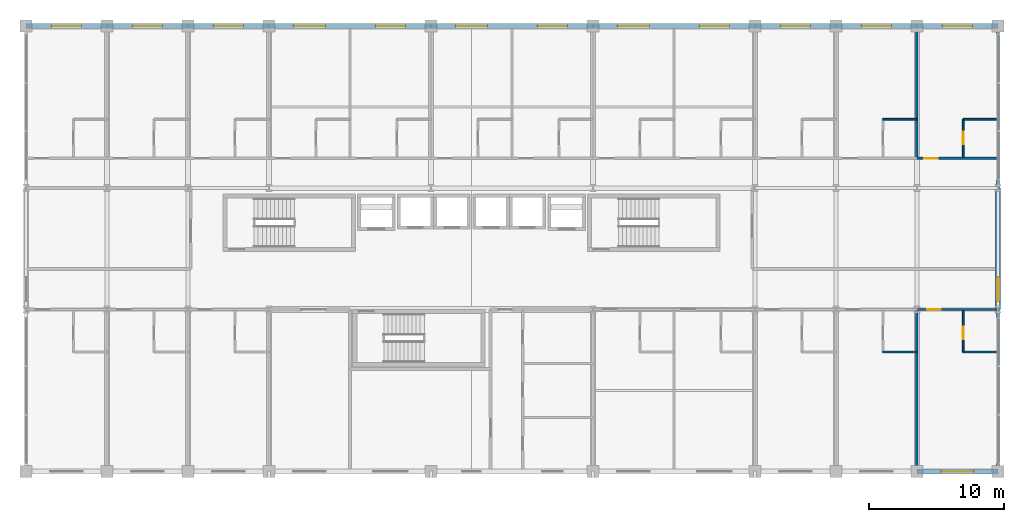
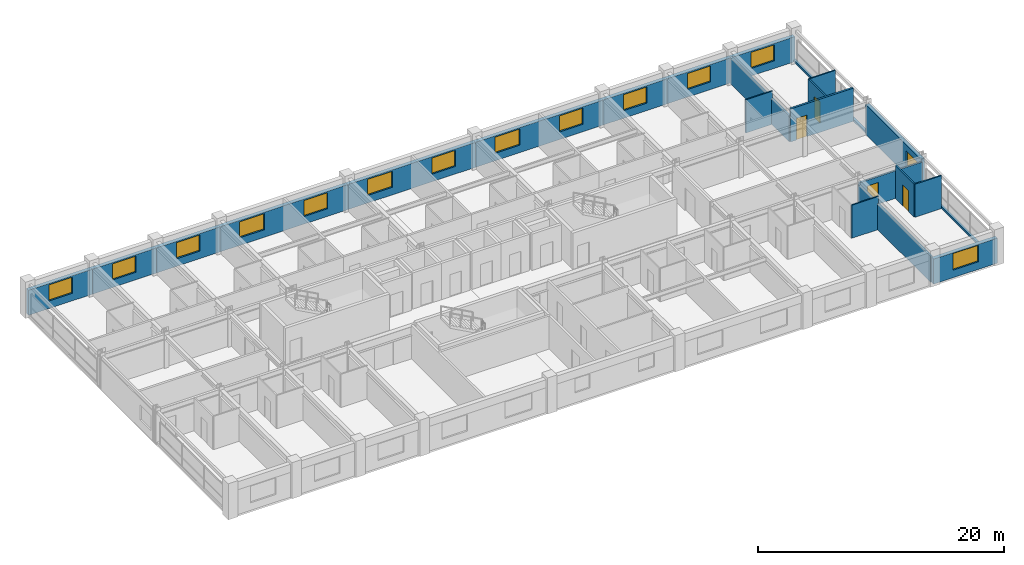
# One storey, part 20 of 22: 23 walls, 14 windows, 4 doors, 18 openings.
"""IFC4 building model written with IfcOpenShell, lengths in metres."""

from ifc_helpers import new_model, si_unit, direction, frame, frame_2d, origin, place, context, subcontext, project, spatial, rectangle, extrude, material, layer, layer_set, type_object, element, fill, save


model = new_model("IFC4")

# Units and contexts
model_context = context("Model", 3, precision=1e-05, world=origin(), true_north=direction((0.0, 1.0)))
body_context = subcontext(model_context, "Body", "Model", "MODEL_VIEW")
ifc_project = project(units=[si_unit("LENGTHUNIT", "METRE"), si_unit("AREAUNIT", "SQUARE_METRE"), si_unit("VOLUMEUNIT", "CUBIC_METRE"), si_unit("PLANEANGLEUNIT", "RADIAN"), si_unit("MASSUNIT", "GRAM", prefix="KILO")], contexts=[model_context])

# Site, building, storey
site_placement = place(None, origin())
site = spatial("IfcSite", under=ifc_project, at=site_placement, CompositionType="ELEMENT")
building_placement = place(site_placement, origin())
building = spatial("IfcBuilding", under=site, at=building_placement, Name="Kaldorvane Square Convention Centre", CompositionType="ELEMENT")
storey_placement = place(building_placement, frame((0.0, 0.0, 31.199996948242188)))
storey = spatial("IfcBuildingStorey", under=building, at=storey_placement, Name="L06", CompositionType="ELEMENT", Elevation=31.199996948242188)

# Wall
ifc_material_1 = material(Name="Fire-Rated Gypsum Board on Acoustic Steel Studs", Category="steel")
ifc_layer_1 = layer(ifc_material_1, 0.125)
ifc_layer_set_1 = layer_set([ifc_layer_1], Name="Fire-Rated Gypsum Board on Acoustic Steel Studs")
wall_type_1 = type_object("IfcWallType", Name="WL-BATH-125", PredefinedType="PARTITIONING", material=ifc_layer_set_1)
wall_1_placement = place(storey_placement, frame((87.47999572753906, 110.10000610351562, 0.0), z_axis=(0.0, 0.0, 1.0), x_axis=(1.0, 0.0, 0.0)))
element("IfcWall", 1, at=wall_1_placement, inside=storey, type_object=wall_type_1, Name="En-Suite 611 North Wall", PredefinedType="PARTITIONING", context=body_context, shape_type="SweptSolid", body=[
    extrude(rectangle(XDim=2.5200042724609375, YDim=0.125, at=frame_2d((1.260009765625, 0.0))), origin(), (0.0, 0.0, 1.0), 3.290008544921875),
])

# Wall, opening, door
wall_2_placement = place(storey_placement, frame((93.43499755859375, 107.28999328613281, 0.0), z_axis=(0.0, 0.0, 1.0), x_axis=(0.0, 1.0, 0.0)))
wall_2 = element("IfcWall", 2, at=wall_2_placement, inside=storey, type_object=wall_type_1, Name="En-Suite 612 West Wall", PredefinedType="PARTITIONING", context=body_context, shape_type="SweptSolid", body=[
    extrude(rectangle(XDim=2.8100128173828125, YDim=0.125, at=frame_2d((1.404998779296875, 0.0))), origin(), (0.0, 0.0, 1.0), 3.290008544921875),
])
opening_1_placement = place(wall_2_placement, frame((0.9499969482421875, 0.0, 0.0)))
opening_1 = element("IfcOpeningElement", 3, at=opening_1_placement, cuts=wall_2, Name="Opening ID-12", PredefinedType="OPENING", context=body_context, shape_type="SweptSolid", body=[
    extrude(rectangle(XDim=0.9199981689453125, YDim=2.100006103515625, at=frame_2d((0.459991455078125, 1.0500030517578125))), frame((0.0, 0.0774993896484375, 0.0), z_axis=(0.0, -1.0, 0.0), x_axis=(1.0, 0.0, 0.0)), (0.0, 0.0, 1.0), 0.154998779296875),
])
ifc_material_2 = material(Name="Architectural Solid-Core White Oak")
door_type_1 = type_object("IfcDoorType", Name="DR-BATH-0920X2100", OperationType="SINGLE_SWING_RIGHT", PredefinedType="DOOR", material=ifc_material_2)
door_1_placement = place(opening_1_placement, origin())
door_1 = element("IfcDoor", 4, at=door_1_placement, inside=storey, type_object=door_type_1, Name="En-Suite Bathroom 612 Door", OperationType="SINGLE_SWING_RIGHT", OverallHeight=2.100006103515625, OverallWidth=0.9199981689453125, PredefinedType="DOOR", context=body_context, shape_type="SweptSolid", body=[
    extrude(rectangle(XDim=0.9199981689453125, YDim=2.100006103515625, at=frame_2d((0.459991455078125, 1.0500030517578125))), frame((0.0, 0.024993896484375, 0.0), z_axis=(0.0, -1.0, 0.0), x_axis=(1.0, 0.0, 0.0)), (0.0, 0.0, 1.0), 0.0500030517578125),
])
fill(opening_1, door_1)

# Walls
wall_3_placement = place(storey_placement, frame((93.43499755859375, 110.10000610351562, 0.0), z_axis=(0.0, 0.0, 1.0), x_axis=(1.0, 0.0, 0.0)))
element("IfcWall", 5, at=wall_3_placement, inside=storey, type_object=wall_type_1, Name="En-Suite 612 North Wall", PredefinedType="PARTITIONING", context=body_context, shape_type="SweptSolid", body=[
    extrude(rectangle(XDim=2.4799957275390625, YDim=0.125, at=frame_2d((1.239990234375, 0.0))), origin(), (0.0, 0.0, 1.0), 3.290008544921875),
])
wall_4_placement = place(storey_placement, frame((87.47999572753906, 92.85000610351562, 0.0), z_axis=(0.0, 0.0, 1.0), x_axis=(1.0, 0.0, 0.0)))
element("IfcWall", 6, at=wall_4_placement, inside=storey, type_object=wall_type_1, Name="En-Suite 619 South Wall", PredefinedType="PARTITIONING", context=body_context, shape_type="SweptSolid", body=[
    extrude(rectangle(XDim=2.5200042724609375, YDim=0.125, at=frame_2d((1.260009765625, 0.0))), origin(), (0.0, 0.0, 1.0), 3.290008544921875),
])

# Wall, opening, door
wall_5_placement = place(storey_placement, frame((93.43499755859375, 92.85000610351562, 0.0), z_axis=(0.0, 0.0, 1.0), x_axis=(0.0, 1.0, 0.0)))
wall_5 = element("IfcWall", 7, at=wall_5_placement, inside=storey, type_object=wall_type_1, Name="En-Suite 620 West Wall", PredefinedType="PARTITIONING", context=body_context, shape_type="SweptSolid", body=[
    extrude(rectangle(XDim=3.05999755859375, YDim=0.125, at=frame_2d((1.529998779296875, 0.0))), origin(), (0.0, 0.0, 1.0), 3.290008544921875),
])
opening_2_placement = place(wall_5_placement, frame((0.9499969482421875, 0.0, 0.0)))
opening_2 = element("IfcOpeningElement", 8, at=opening_2_placement, cuts=wall_5, Name="Opening ID-12", PredefinedType="OPENING", context=body_context, shape_type="SweptSolid", body=[
    extrude(rectangle(XDim=0.9199981689453125, YDim=2.100006103515625, at=frame_2d((0.459991455078125, 1.0500030517578125))), frame((0.0, 0.0774993896484375, 0.0), z_axis=(0.0, -1.0, 0.0), x_axis=(1.0, 0.0, 0.0)), (0.0, 0.0, 1.0), 0.154998779296875),
])
door_2_placement = place(opening_2_placement, origin())
door_2 = element("IfcDoor", 9, at=door_2_placement, inside=storey, type_object=door_type_1, Name="En-Suite Bathroom 620 Door", OperationType="SINGLE_SWING_RIGHT", OverallHeight=2.100006103515625, OverallWidth=0.9199981689453125, PredefinedType="DOOR", context=body_context, shape_type="SweptSolid", body=[
    extrude(rectangle(XDim=0.9199981689453125, YDim=2.100006103515625, at=frame_2d((0.459991455078125, 1.0500030517578125))), frame((0.0, 0.024993896484375, 0.0), z_axis=(0.0, -1.0, 0.0), x_axis=(1.0, 0.0, 0.0)), (0.0, 0.0, 1.0), 0.0500030517578125),
])
fill(opening_2, door_2)

# Wall
wall_6_placement = place(storey_placement, frame((93.43499755859375, 92.85000610351562, 0.0), z_axis=(0.0, 0.0, 1.0), x_axis=(1.0, 0.0, 0.0)))
element("IfcWall", 10, at=wall_6_placement, inside=storey, type_object=wall_type_1, Name="En-Suite 620 South Wall", PredefinedType="PARTITIONING", context=body_context, shape_type="SweptSolid", body=[
    extrude(rectangle(XDim=2.4799957275390625, YDim=0.125, at=frame_2d((1.239990234375, 0.0))), origin(), (0.0, 0.0, 1.0), 3.290008544921875),
])

# Wall, opening, window
ifc_material_3 = material(Name="Concrete f'c = 42 MPa (Normalweight)", Category="concrete")
ifc_layer_2 = layer(ifc_material_3, 0.350006103515625)
ifc_layer_set_2 = layer_set([ifc_layer_2], Name="Concrete f'c = 42 MPa (Normalweight)")
wall_type_2 = type_object("IfcWallType", Name="WL-EXT-350", PredefinedType="STANDARD", material=ifc_layer_set_2)
wall_7_placement = place(storey_placement, frame((90.0, 84.0, 0.0), z_axis=(0.0, 0.0, 1.0), x_axis=(1.0, 0.0, 0.0)))
wall_7 = element("IfcWall", 11, at=wall_7_placement, inside=storey, type_object=wall_type_2, Name="Hotel S Brutalist Facade Wall (L06)", PredefinedType="STANDARD", context=body_context, shape_type="SweptSolid", body=[
    extrude(rectangle(XDim=6.0, YDim=0.350006103515625, at=frame_2d((3.0, 0.0))), origin(), (0.0, 0.0, 1.0), 2.4860076904296875),
])
opening_3_placement = place(wall_7_placement, frame((1.8000030517578125, 0.0, 0.75)))
opening_3 = element("IfcOpeningElement", 12, at=opening_3_placement, cuts=wall_7, Name="Opening W-01", PredefinedType="OPENING", context=body_context, shape_type="SweptSolid", body=[
    extrude(rectangle(XDim=2.399993896484375, YDim=1.649993896484375, at=frame_2d((1.1999969482421875, 0.8249969482421875))), frame((0.0, 0.19000244140625, 0.0), z_axis=(0.0, -1.0, 0.0), x_axis=(1.0, 0.0, 0.0)), (0.0, 0.0, 1.0), 0.3800048828125),
])
ifc_material_4 = material(Name="Anodized Aluminum and Low-E Insulated Glazing", Category="aluminium")
window_type_1 = type_object("IfcWindowType", Name="WN-HTL-2400X1650", PartitioningType="DOUBLE_PANEL_VERTICAL", PredefinedType="WINDOW", material=ifc_material_4)
window_1_placement = place(opening_3_placement, origin())
window_1 = element("IfcWindow", 13, at=window_1_placement, inside=storey, type_object=window_type_1, Name="Hotel S Window (L06)", OverallHeight=1.649993896484375, OverallWidth=2.399993896484375, PartitioningType="DOUBLE_PANEL_VERTICAL", PredefinedType="WINDOW", context=body_context, shape_type="SweptSolid", body=[
    extrude(rectangle(XDim=2.399993896484375, YDim=1.649993896484375, at=frame_2d((1.1999969482421875, 0.8249969482421875))), frame((0.0, 0.029998779296875, 0.0), z_axis=(0.0, -1.0, 0.0), x_axis=(1.0, 0.0, 0.0)), (0.0, 0.0, 1.0), 0.05999755859375),
])
fill(opening_3, window_1)

wall_8_placement = place(storey_placement, frame((30.0, 117.0, 0.0), z_axis=(0.0, 0.0, 1.0), x_axis=(-1.0, 0.0, 0.0)))
wall_8 = element("IfcWall", 14, at=wall_8_placement, inside=storey, type_object=wall_type_2, Name="Hotel N Brutalist Facade Wall (L06)", PredefinedType="STANDARD", context=body_context, shape_type="SweptSolid", body=[
    extrude(rectangle(XDim=6.0, YDim=0.350006103515625, at=frame_2d((3.0, 0.0))), origin(), (0.0, 0.0, 1.0), 2.4860076904296875),
])
opening_4_placement = place(wall_8_placement, frame((1.899993896484375, 0.0, 0.75)))
opening_4 = element("IfcOpeningElement", 15, at=opening_4_placement, cuts=wall_8, Name="Opening W-07", PredefinedType="OPENING", context=body_context, shape_type="SweptSolid", body=[
    extrude(rectangle(XDim=2.1999969482421875, YDim=1.600006103515625, at=frame_2d((1.100006103515625, 0.8000030517578125))), frame((0.0, 0.19000244140625, 0.0), z_axis=(0.0, -1.0, 0.0), x_axis=(1.0, 0.0, 0.0)), (0.0, 0.0, 1.0), 0.3800048828125),
])
window_type_2 = type_object("IfcWindowType", Name="WN-HTL-2200X1600", PartitioningType="DOUBLE_PANEL_VERTICAL", PredefinedType="WINDOW", material=ifc_material_4)
window_2_placement = place(opening_4_placement, origin())
window_2 = element("IfcWindow", 16, at=window_2_placement, inside=storey, type_object=window_type_2, Name="Hotel N Window (L06)", OverallHeight=1.600006103515625, OverallWidth=2.1999969482421875, PartitioningType="DOUBLE_PANEL_VERTICAL", PredefinedType="WINDOW", context=body_context, shape_type="SweptSolid", body=[
    extrude(rectangle(XDim=2.1999969482421875, YDim=1.600006103515625, at=frame_2d((1.100006103515625, 0.8000030517578125))), frame((0.0, 0.029998779296875, 0.0), z_axis=(0.0, -1.0, 0.0), x_axis=(1.0, 0.0, 0.0)), (0.0, 0.0, 1.0), 0.05999755859375),
])
fill(opening_4, window_2)

wall_9_placement = place(storey_placement, frame((36.0, 117.0, 0.0), z_axis=(0.0, 0.0, 1.0), x_axis=(-1.0, 0.0, 0.0)))
wall_9 = element("IfcWall", 17, at=wall_9_placement, inside=storey, type_object=wall_type_2, Name="Hotel N Brutalist Facade Wall (L06)", PredefinedType="STANDARD", context=body_context, shape_type="SweptSolid", body=[
    extrude(rectangle(XDim=6.0, YDim=0.350006103515625, at=frame_2d((3.0, 0.0))), origin(), (0.0, 0.0, 1.0), 2.4860076904296875),
])
opening_5_placement = place(wall_9_placement, frame((1.899993896484375, 0.0, 0.75)))
opening_5 = element("IfcOpeningElement", 18, at=opening_5_placement, cuts=wall_9, Name="Opening W-07", PredefinedType="OPENING", context=body_context, shape_type="SweptSolid", body=[
    extrude(rectangle(XDim=2.1999969482421875, YDim=1.600006103515625, at=frame_2d((1.100006103515625, 0.8000030517578125))), frame((0.0, 0.19000244140625, 0.0), z_axis=(0.0, -1.0, 0.0), x_axis=(1.0, 0.0, 0.0)), (0.0, 0.0, 1.0), 0.3800048828125),
])
window_3_placement = place(opening_5_placement, origin())
window_3 = element("IfcWindow", 19, at=window_3_placement, inside=storey, type_object=window_type_2, Name="Hotel N Window (L06)", OverallHeight=1.600006103515625, OverallWidth=2.1999969482421875, PartitioningType="DOUBLE_PANEL_VERTICAL", PredefinedType="WINDOW", context=body_context, shape_type="SweptSolid", body=[
    extrude(rectangle(XDim=2.1999969482421875, YDim=1.600006103515625, at=frame_2d((1.100006103515625, 0.8000030517578125))), frame((0.0, 0.029998779296875, 0.0), z_axis=(0.0, -1.0, 0.0), x_axis=(1.0, 0.0, 0.0)), (0.0, 0.0, 1.0), 0.05999755859375),
])
fill(opening_5, window_3)

wall_10_placement = place(storey_placement, frame((42.0, 117.0, 0.0), z_axis=(0.0, 0.0, 1.0), x_axis=(-1.0, 0.0, 0.0)))
wall_10 = element("IfcWall", 20, at=wall_10_placement, inside=storey, type_object=wall_type_2, Name="Hotel N Brutalist Facade Wall (L06)", PredefinedType="STANDARD", context=body_context, shape_type="SweptSolid", body=[
    extrude(rectangle(XDim=6.0, YDim=0.350006103515625, at=frame_2d((3.0, 0.0))), origin(), (0.0, 0.0, 1.0), 2.4860076904296875),
])
opening_6_placement = place(wall_10_placement, frame((1.899993896484375, 0.0, 0.75)))
opening_6 = element("IfcOpeningElement", 21, at=opening_6_placement, cuts=wall_10, Name="Opening W-07", PredefinedType="OPENING", context=body_context, shape_type="SweptSolid", body=[
    extrude(rectangle(XDim=2.1999969482421875, YDim=1.600006103515625, at=frame_2d((1.100006103515625, 0.8000030517578125))), frame((0.0, 0.19000244140625, 0.0), z_axis=(0.0, -1.0, 0.0), x_axis=(1.0, 0.0, 0.0)), (0.0, 0.0, 1.0), 0.3800048828125),
])
window_4_placement = place(opening_6_placement, origin())
window_4 = element("IfcWindow", 22, at=window_4_placement, inside=storey, type_object=window_type_2, Name="Hotel N Window (L06)", OverallHeight=1.600006103515625, OverallWidth=2.1999969482421875, PartitioningType="DOUBLE_PANEL_VERTICAL", PredefinedType="WINDOW", context=body_context, shape_type="SweptSolid", body=[
    extrude(rectangle(XDim=2.1999969482421875, YDim=1.600006103515625, at=frame_2d((1.100006103515625, 0.8000030517578125))), frame((0.0, 0.029998779296875, 0.0), z_axis=(0.0, -1.0, 0.0), x_axis=(1.0, 0.0, 0.0)), (0.0, 0.0, 1.0), 0.05999755859375),
])
fill(opening_6, window_4)

# Wall, openings, windows
wall_11_placement = place(storey_placement, frame((54.0, 117.0, 0.0), z_axis=(0.0, 0.0, 1.0), x_axis=(-1.0, 0.0, 0.0)))
wall_11 = element("IfcWall", 23, at=wall_11_placement, inside=storey, type_object=wall_type_2, Name="Hotel N Brutalist Facade Wall (L06)", PredefinedType="STANDARD", context=body_context, shape_type="SweptSolid", body=[
    extrude(rectangle(XDim=12.0, YDim=0.350006103515625, at=frame_2d((6.0, 0.0))), origin(), (0.0, 0.0, 1.0), 2.4860076904296875),
])
opening_7_placement = place(wall_11_placement, frame((1.899993896484375, 0.0, 0.75)))
opening_7 = element("IfcOpeningElement", 24, at=opening_7_placement, cuts=wall_11, Name="Opening W-07", PredefinedType="OPENING", context=body_context, shape_type="SweptSolid", body=[
    extrude(rectangle(XDim=2.1999969482421875, YDim=1.600006103515625, at=frame_2d((1.100006103515625, 0.8000030517578125))), frame((0.0, 0.19000244140625, 0.0), z_axis=(0.0, -1.0, 0.0), x_axis=(1.0, 0.0, 0.0)), (0.0, 0.0, 1.0), 0.3800048828125),
])
opening_8_placement = place(wall_11_placement, frame((7.8249969482421875, 0.0, 0.75)))
opening_8 = element("IfcOpeningElement", 25, at=opening_8_placement, cuts=wall_11, Name="Opening W-08", PredefinedType="OPENING", context=body_context, shape_type="SweptSolid", body=[
    extrude(rectangle(XDim=2.350006103515625, YDim=1.600006103515625, at=frame_2d((1.1750030517578125, 0.8000030517578125))), frame((0.0, 0.19000244140625, 0.0), z_axis=(0.0, -1.0, 0.0), x_axis=(1.0, 0.0, 0.0)), (0.0, 0.0, 1.0), 0.3800048828125),
])
window_5_placement = place(opening_7_placement, origin())
window_5 = element("IfcWindow", 26, at=window_5_placement, inside=storey, type_object=window_type_2, Name="Hotel N Window (L06)", OverallHeight=1.600006103515625, OverallWidth=2.1999969482421875, PartitioningType="DOUBLE_PANEL_VERTICAL", PredefinedType="WINDOW", context=body_context, shape_type="SweptSolid", body=[
    extrude(rectangle(XDim=2.1999969482421875, YDim=1.600006103515625, at=frame_2d((1.100006103515625, 0.8000030517578125))), frame((0.0, 0.029998779296875, 0.0), z_axis=(0.0, -1.0, 0.0), x_axis=(1.0, 0.0, 0.0)), (0.0, 0.0, 1.0), 0.05999755859375),
])
fill(opening_7, window_5)
window_type_3 = type_object("IfcWindowType", Name="WN-HTL-2350X1600", PartitioningType="DOUBLE_PANEL_VERTICAL", PredefinedType="WINDOW", material=ifc_material_4)
window_6_placement = place(opening_8_placement, origin())
window_6 = element("IfcWindow", 27, at=window_6_placement, inside=storey, type_object=window_type_3, Name="Hotel N Window (L06)", OverallHeight=1.600006103515625, OverallWidth=2.350006103515625, PartitioningType="DOUBLE_PANEL_VERTICAL", PredefinedType="WINDOW", context=body_context, shape_type="SweptSolid", body=[
    extrude(rectangle(XDim=2.350006103515625, YDim=1.600006103515625, at=frame_2d((1.1750030517578125, 0.8000030517578125))), frame((0.0, 0.029998779296875, 0.0), z_axis=(0.0, -1.0, 0.0), x_axis=(1.0, 0.0, 0.0)), (0.0, 0.0, 1.0), 0.05999755859375),
])
fill(opening_8, window_6)

wall_12_placement = place(storey_placement, frame((66.0, 117.0, 0.0), z_axis=(0.0, 0.0, 1.0), x_axis=(-1.0, 0.0, 0.0)))
wall_12 = element("IfcWall", 28, at=wall_12_placement, inside=storey, type_object=wall_type_2, Name="Hotel N Brutalist Facade Wall (L06)", PredefinedType="STANDARD", context=body_context, shape_type="SweptSolid", body=[
    extrude(rectangle(XDim=12.0, YDim=0.350006103515625, at=frame_2d((6.0, 0.0))), origin(), (0.0, 0.0, 1.0), 2.4860076904296875),
])
opening_9_placement = place(wall_12_placement, frame((1.899993896484375, 0.0, 0.75)))
opening_9 = element("IfcOpeningElement", 29, at=opening_9_placement, cuts=wall_12, Name="Opening W-07", PredefinedType="OPENING", context=body_context, shape_type="SweptSolid", body=[
    extrude(rectangle(XDim=2.1999969482421875, YDim=1.600006103515625, at=frame_2d((1.100006103515625, 0.8000030517578125))), frame((0.0, 0.19000244140625, 0.0), z_axis=(0.0, -1.0, 0.0), x_axis=(1.0, 0.0, 0.0)), (0.0, 0.0, 1.0), 0.3800048828125),
])
opening_10_placement = place(wall_12_placement, frame((7.8249969482421875, 0.0, 0.75)))
opening_10 = element("IfcOpeningElement", 30, at=opening_10_placement, cuts=wall_12, Name="Opening W-08", PredefinedType="OPENING", context=body_context, shape_type="SweptSolid", body=[
    extrude(rectangle(XDim=2.350006103515625, YDim=1.600006103515625, at=frame_2d((1.1750030517578125, 0.8000030517578125))), frame((0.0, 0.19000244140625, 0.0), z_axis=(0.0, -1.0, 0.0), x_axis=(1.0, 0.0, 0.0)), (0.0, 0.0, 1.0), 0.3800048828125),
])
window_7_placement = place(opening_9_placement, origin())
window_7 = element("IfcWindow", 31, at=window_7_placement, inside=storey, type_object=window_type_2, Name="Hotel N Window (L06)", OverallHeight=1.600006103515625, OverallWidth=2.1999969482421875, PartitioningType="DOUBLE_PANEL_VERTICAL", PredefinedType="WINDOW", context=body_context, shape_type="SweptSolid", body=[
    extrude(rectangle(XDim=2.1999969482421875, YDim=1.600006103515625, at=frame_2d((1.100006103515625, 0.8000030517578125))), frame((0.0, 0.029998779296875, 0.0), z_axis=(0.0, -1.0, 0.0), x_axis=(1.0, 0.0, 0.0)), (0.0, 0.0, 1.0), 0.05999755859375),
])
fill(opening_9, window_7)
window_8_placement = place(opening_10_placement, origin())
window_8 = element("IfcWindow", 32, at=window_8_placement, inside=storey, type_object=window_type_3, Name="Hotel N Window (L06)", OverallHeight=1.600006103515625, OverallWidth=2.350006103515625, PartitioningType="DOUBLE_PANEL_VERTICAL", PredefinedType="WINDOW", context=body_context, shape_type="SweptSolid", body=[
    extrude(rectangle(XDim=2.350006103515625, YDim=1.600006103515625, at=frame_2d((1.1750030517578125, 0.8000030517578125))), frame((0.0, 0.029998779296875, 0.0), z_axis=(0.0, -1.0, 0.0), x_axis=(1.0, 0.0, 0.0)), (0.0, 0.0, 1.0), 0.05999755859375),
])
fill(opening_10, window_8)

wall_13_placement = place(storey_placement, frame((78.0, 117.0, 0.0), z_axis=(0.0, 0.0, 1.0), x_axis=(-1.0, 0.0, 0.0)))
wall_13 = element("IfcWall", 33, at=wall_13_placement, inside=storey, type_object=wall_type_2, Name="Hotel N Brutalist Facade Wall (L06)", PredefinedType="STANDARD", context=body_context, shape_type="SweptSolid", body=[
    extrude(rectangle(XDim=12.0, YDim=0.350006103515625, at=frame_2d((6.0, 0.0))), origin(), (0.0, 0.0, 1.0), 2.4860076904296875),
])
opening_11_placement = place(wall_13_placement, frame((1.899993896484375, 0.0, 0.75)))
opening_11 = element("IfcOpeningElement", 34, at=opening_11_placement, cuts=wall_13, Name="Opening W-07", PredefinedType="OPENING", context=body_context, shape_type="SweptSolid", body=[
    extrude(rectangle(XDim=2.1999969482421875, YDim=1.600006103515625, at=frame_2d((1.100006103515625, 0.8000030517578125))), frame((0.0, 0.19000244140625, 0.0), z_axis=(0.0, -1.0, 0.0), x_axis=(1.0, 0.0, 0.0)), (0.0, 0.0, 1.0), 0.3800048828125),
])
opening_12_placement = place(wall_13_placement, frame((7.8249969482421875, 0.0, 0.75)))
opening_12 = element("IfcOpeningElement", 35, at=opening_12_placement, cuts=wall_13, Name="Opening W-08", PredefinedType="OPENING", context=body_context, shape_type="SweptSolid", body=[
    extrude(rectangle(XDim=2.350006103515625, YDim=1.600006103515625, at=frame_2d((1.1750030517578125, 0.8000030517578125))), frame((0.0, 0.19000244140625, 0.0), z_axis=(0.0, -1.0, 0.0), x_axis=(1.0, 0.0, 0.0)), (0.0, 0.0, 1.0), 0.3800048828125),
])
window_9_placement = place(opening_11_placement, origin())
window_9 = element("IfcWindow", 36, at=window_9_placement, inside=storey, type_object=window_type_2, Name="Hotel N Window (L06)", OverallHeight=1.600006103515625, OverallWidth=2.1999969482421875, PartitioningType="DOUBLE_PANEL_VERTICAL", PredefinedType="WINDOW", context=body_context, shape_type="SweptSolid", body=[
    extrude(rectangle(XDim=2.1999969482421875, YDim=1.600006103515625, at=frame_2d((1.100006103515625, 0.8000030517578125))), frame((0.0, 0.029998779296875, 0.0), z_axis=(0.0, -1.0, 0.0), x_axis=(1.0, 0.0, 0.0)), (0.0, 0.0, 1.0), 0.05999755859375),
])
fill(opening_11, window_9)
window_10_placement = place(opening_12_placement, origin())
window_10 = element("IfcWindow", 37, at=window_10_placement, inside=storey, type_object=window_type_3, Name="Hotel N Window (L06)", OverallHeight=1.600006103515625, OverallWidth=2.350006103515625, PartitioningType="DOUBLE_PANEL_VERTICAL", PredefinedType="WINDOW", context=body_context, shape_type="SweptSolid", body=[
    extrude(rectangle(XDim=2.350006103515625, YDim=1.600006103515625, at=frame_2d((1.1750030517578125, 0.8000030517578125))), frame((0.0, 0.029998779296875, 0.0), z_axis=(0.0, -1.0, 0.0), x_axis=(1.0, 0.0, 0.0)), (0.0, 0.0, 1.0), 0.05999755859375),
])
fill(opening_12, window_10)

# Wall, opening, window
wall_14_placement = place(storey_placement, frame((84.0, 117.0, 0.0), z_axis=(0.0, 0.0, 1.0), x_axis=(-1.0, 0.0, 0.0)))
wall_14 = element("IfcWall", 38, at=wall_14_placement, inside=storey, type_object=wall_type_2, Name="Hotel N Brutalist Facade Wall (L06)", PredefinedType="STANDARD", context=body_context, shape_type="SweptSolid", body=[
    extrude(rectangle(XDim=6.0, YDim=0.350006103515625, at=frame_2d((3.0, 0.0))), origin(), (0.0, 0.0, 1.0), 2.4860076904296875),
])
opening_13_placement = place(wall_14_placement, frame((1.899993896484375, 0.0, 0.75)))
opening_13 = element("IfcOpeningElement", 39, at=opening_13_placement, cuts=wall_14, Name="Opening W-07", PredefinedType="OPENING", context=body_context, shape_type="SweptSolid", body=[
    extrude(rectangle(XDim=2.1999969482421875, YDim=1.600006103515625, at=frame_2d((1.100006103515625, 0.8000030517578125))), frame((0.0, 0.19000244140625, 0.0), z_axis=(0.0, -1.0, 0.0), x_axis=(1.0, 0.0, 0.0)), (0.0, 0.0, 1.0), 0.3800048828125),
])
window_11_placement = place(opening_13_placement, origin())
window_11 = element("IfcWindow", 40, at=window_11_placement, inside=storey, type_object=window_type_2, Name="Hotel N Window (L06)", OverallHeight=1.600006103515625, OverallWidth=2.1999969482421875, PartitioningType="DOUBLE_PANEL_VERTICAL", PredefinedType="WINDOW", context=body_context, shape_type="SweptSolid", body=[
    extrude(rectangle(XDim=2.1999969482421875, YDim=1.600006103515625, at=frame_2d((1.100006103515625, 0.8000030517578125))), frame((0.0, 0.029998779296875, 0.0), z_axis=(0.0, -1.0, 0.0), x_axis=(1.0, 0.0, 0.0)), (0.0, 0.0, 1.0), 0.05999755859375),
])
fill(opening_13, window_11)

wall_15_placement = place(storey_placement, frame((90.0, 117.0, 0.0), z_axis=(0.0, 0.0, 1.0), x_axis=(-1.0, 0.0, 0.0)))
wall_15 = element("IfcWall", 41, at=wall_15_placement, inside=storey, type_object=wall_type_2, Name="Hotel N Brutalist Facade Wall (L06)", PredefinedType="STANDARD", context=body_context, shape_type="SweptSolid", body=[
    extrude(rectangle(XDim=6.0, YDim=0.350006103515625, at=frame_2d((3.0, 0.0))), origin(), (0.0, 0.0, 1.0), 2.4860076904296875),
])
opening_14_placement = place(wall_15_placement, frame((1.899993896484375, 0.0, 0.75)))
opening_14 = element("IfcOpeningElement", 42, at=opening_14_placement, cuts=wall_15, Name="Opening W-07", PredefinedType="OPENING", context=body_context, shape_type="SweptSolid", body=[
    extrude(rectangle(XDim=2.1999969482421875, YDim=1.600006103515625, at=frame_2d((1.100006103515625, 0.8000030517578125))), frame((0.0, 0.19000244140625, 0.0), z_axis=(0.0, -1.0, 0.0), x_axis=(1.0, 0.0, 0.0)), (0.0, 0.0, 1.0), 0.3800048828125),
])
window_12_placement = place(opening_14_placement, origin())
window_12 = element("IfcWindow", 43, at=window_12_placement, inside=storey, type_object=window_type_2, Name="Hotel N Window (L06)", OverallHeight=1.600006103515625, OverallWidth=2.1999969482421875, PartitioningType="DOUBLE_PANEL_VERTICAL", PredefinedType="WINDOW", context=body_context, shape_type="SweptSolid", body=[
    extrude(rectangle(XDim=2.1999969482421875, YDim=1.600006103515625, at=frame_2d((1.100006103515625, 0.8000030517578125))), frame((0.0, 0.029998779296875, 0.0), z_axis=(0.0, -1.0, 0.0), x_axis=(1.0, 0.0, 0.0)), (0.0, 0.0, 1.0), 0.05999755859375),
])
fill(opening_14, window_12)

wall_16_placement = place(storey_placement, frame((96.0, 117.0, 0.0), z_axis=(0.0, 0.0, 1.0), x_axis=(-1.0, 0.0, 0.0)))
wall_16 = element("IfcWall", 44, at=wall_16_placement, inside=storey, type_object=wall_type_2, Name="Hotel N Brutalist Facade Wall (L06)", PredefinedType="STANDARD", context=body_context, shape_type="SweptSolid", body=[
    extrude(rectangle(XDim=6.0, YDim=0.350006103515625, at=frame_2d((3.0, 0.0))), origin(), (0.0, 0.0, 1.0), 2.4860076904296875),
])
opening_15_placement = place(wall_16_placement, frame((1.899993896484375, 0.0, 0.75)))
opening_15 = element("IfcOpeningElement", 45, at=opening_15_placement, cuts=wall_16, Name="Opening W-07", PredefinedType="OPENING", context=body_context, shape_type="SweptSolid", body=[
    extrude(rectangle(XDim=2.1999969482421875, YDim=1.600006103515625, at=frame_2d((1.100006103515625, 0.8000030517578125))), frame((0.0, 0.19000244140625, 0.0), z_axis=(0.0, -1.0, 0.0), x_axis=(1.0, 0.0, 0.0)), (0.0, 0.0, 1.0), 0.3800048828125),
])
window_13_placement = place(opening_15_placement, origin())
window_13 = element("IfcWindow", 46, at=window_13_placement, inside=storey, type_object=window_type_2, Name="Hotel N Window (L06)", OverallHeight=1.600006103515625, OverallWidth=2.1999969482421875, PartitioningType="DOUBLE_PANEL_VERTICAL", PredefinedType="WINDOW", context=body_context, shape_type="SweptSolid", body=[
    extrude(rectangle(XDim=2.1999969482421875, YDim=1.600006103515625, at=frame_2d((1.100006103515625, 0.8000030517578125))), frame((0.0, 0.029998779296875, 0.0), z_axis=(0.0, -1.0, 0.0), x_axis=(1.0, 0.0, 0.0)), (0.0, 0.0, 1.0), 0.05999755859375),
])
fill(opening_15, window_13)

wall_17_placement = place(storey_placement, frame((96.0, 96.0, 0.0), z_axis=(0.0, 0.0, 1.0), x_axis=(0.0, 1.0, 0.0)))
wall_17 = element("IfcWall", 47, at=wall_17_placement, inside=storey, type_object=wall_type_2, Name="Hotel E End Wall (L06)", PredefinedType="STANDARD", context=body_context, shape_type="SweptSolid", body=[
    extrude(rectangle(XDim=9.0, YDim=0.350006103515625, at=frame_2d((4.5, 0.0))), origin(), (0.0, 0.0, 1.0), 2.9810028076171875),
])
opening_16_placement = place(wall_17_placement, frame((0.600006103515625, 0.0, 0.850006103515625)))
opening_16 = element("IfcOpeningElement", 48, at=opening_16_placement, cuts=wall_17, Name="Opening W-11", PredefinedType="OPENING", context=body_context, shape_type="SweptSolid", body=[
    extrude(rectangle(XDim=1.8000030517578125, YDim=1.5, at=frame_2d((0.899993896484375, 0.75))), frame((0.0, 0.19000244140625, 0.0), z_axis=(0.0, -1.0, 0.0), x_axis=(1.0, 0.0, 0.0)), (0.0, 0.0, 1.0), 0.3800048828125),
])
window_type_4 = type_object("IfcWindowType", Name="WN-HTL-1800X1500", PartitioningType="SINGLE_PANEL", PredefinedType="WINDOW", material=ifc_material_4)
window_14_placement = place(opening_16_placement, origin())
window_14 = element("IfcWindow", 49, at=window_14_placement, inside=storey, type_object=window_type_4, Name="Hotel End Window E (L06)", OverallHeight=1.5, OverallWidth=1.8000030517578125, PartitioningType="SINGLE_PANEL", PredefinedType="WINDOW", context=body_context, shape_type="SweptSolid", body=[
    extrude(rectangle(XDim=1.8000030517578125, YDim=1.5, at=frame_2d((0.899993896484375, 0.75))), frame((0.0, 0.029998779296875, 0.0), z_axis=(0.0, -1.0, 0.0), x_axis=(1.0, 0.0, 0.0)), (0.0, 0.0, 1.0), 0.05999755859375),
])
fill(opening_16, window_14)

# Walls
ifc_material_5 = material(Name="Concrete f'c = 35 MPa (Normalweight)", Category="concrete")
ifc_layer_3 = layer(ifc_material_5, 0.220001220703125)
ifc_layer_set_3 = layer_set([ifc_layer_3], Name="Concrete f'c = 35 MPa (Normalweight)")
wall_type_3 = type_object("IfcWallType", Name="WL-PAR-220", PredefinedType="PARAPET", material=ifc_layer_set_3)
for number, where, z_axis, x_axis, name in (
    (50, (96.0, 84.0, 0.0), (0.0, 0.0, 1.0), (0.0, 1.0, 0.0), "Hotel End Curtain-Wall Sill (L06)"),
    (51, (96.0, 105.0, 0.0), (0.0, 0.0, 1.0), (0.0, 1.0, 0.0), "Hotel End Curtain-Wall Sill (L06)"),
):
    element("IfcWall", number, at=place(storey_placement, frame(where, z_axis=z_axis, x_axis=x_axis)), inside=storey, type_object=wall_type_3, Name=name, PredefinedType="PARAPET", context=body_context, shape_type="SweptSolid", body=[
        extrude(rectangle(XDim=12.0, YDim=0.220001220703125, at=frame_2d((6.0, 0.0))), origin(), (0.0, 0.0, 1.0), 0.1999969482421875),
    ])
ifc_layer_4 = layer(ifc_material_1, 0.17999267578125)
ifc_layer_set_4 = layer_set([ifc_layer_4], Name="Fire-Rated Gypsum Board on Acoustic Steel Studs")
wall_type_4 = type_object("IfcWallType", Name="WL-UNIT-180", PredefinedType="PARTITIONING", material=ifc_layer_set_4)
wall_18_placement = place(storey_placement, frame((90.0, 107.19999694824219, 0.0), z_axis=(0.0, 0.0, 1.0), x_axis=(0.0, 1.0, 0.0)))
element("IfcWall", 52, at=wall_18_placement, inside=storey, type_object=wall_type_4, Name="Guestroom Demising Wall 611", PredefinedType="PARTITIONING", context=body_context, shape_type="SweptSolid", body=[
    extrude(rectangle(XDim=9.625, YDim=0.17999267578125, at=frame_2d((4.8125, 0.0))), origin(), (0.0, 0.0, 1.0), 2.589996337890625),
])

# Wall, opening, door
wall_19_placement = place(storey_placement, frame((90.0, 107.19999694824219, 0.0), z_axis=(0.0, 0.0, 1.0), x_axis=(1.0, 0.0, 0.0)))
wall_19 = element("IfcWall", 53, at=wall_19_placement, inside=storey, type_object=wall_type_4, Name="Hotel Guest Room 612 Corridor Wall", PredefinedType="PARTITIONING", context=body_context, shape_type="SweptSolid", body=[
    extrude(rectangle(XDim=5.9149932861328125, YDim=0.17999267578125, at=frame_2d((2.957489013671875, 0.0))), origin(), (0.0, 0.0, 1.0), 3.290008544921875),
])
opening_17_placement = place(wall_19_placement, frame((0.5500030517578125, 0.0, 0.0)))
opening_17 = element("IfcOpeningElement", 54, at=opening_17_placement, cuts=wall_19, Name="Opening ID-10", PredefinedType="OPENING", context=body_context, shape_type="SweptSolid", body=[
    extrude(rectangle(XDim=1.0, YDim=2.149993896484375, at=frame_2d((0.5, 1.0749969482421875))), frame((0.0, 0.1049957275390625, 0.0), z_axis=(0.0, -1.0, 0.0), x_axis=(1.0, 0.0, 0.0)), (0.0, 0.0, 1.0), 0.209991455078125),
])
door_type_2 = type_object("IfcDoorType", Name="DR-GUEST-1000X2150", OperationType="SINGLE_SWING_LEFT", PredefinedType="DOOR", material=ifc_material_2)
door_3_placement = place(opening_17_placement, origin())
door_3 = element("IfcDoor", 55, at=door_3_placement, inside=storey, type_object=door_type_2, Name="Hotel Guest Room 612 Entry Door", OperationType="SINGLE_SWING_LEFT", OverallHeight=2.149993896484375, OverallWidth=1.0, PredefinedType="DOOR", context=body_context, shape_type="SweptSolid", body=[
    extrude(rectangle(XDim=1.0, YDim=2.149993896484375, at=frame_2d((0.5, 1.0749969482421875))), frame((0.0, 0.024993896484375, 0.0), z_axis=(0.0, -1.0, 0.0), x_axis=(1.0, 0.0, 0.0)), (0.0, 0.0, 1.0), 0.0500030517578125),
])
fill(opening_17, door_3)

# Wall
wall_20_placement = place(storey_placement, frame((90.0, 84.17500305175781, 0.0), z_axis=(0.0, 0.0, 1.0), x_axis=(0.0, 1.0, 0.0)))
element("IfcWall", 56, at=wall_20_placement, inside=storey, type_object=wall_type_4, Name="Guestroom Demising Wall 619", PredefinedType="PARTITIONING", context=body_context, shape_type="SweptSolid", body=[
    extrude(rectangle(XDim=11.824996948242188, YDim=0.17999267578125, at=frame_2d((5.912506103515625, 0.0))), origin(), (0.0, 0.0, 1.0), 2.589996337890625),
])

# Wall, opening, door
wall_21_placement = place(storey_placement, frame((90.0, 96.0, 0.0), z_axis=(0.0, 0.0, 1.0), x_axis=(1.0, 0.0, 0.0)))
wall_21 = element("IfcWall", 57, at=wall_21_placement, inside=storey, type_object=wall_type_4, Name="Hotel Guest Room 620 Corridor Wall", PredefinedType="PARTITIONING", context=body_context, shape_type="SweptSolid", body=[
    extrude(rectangle(XDim=5.9149932861328125, YDim=0.17999267578125, at=frame_2d((2.957489013671875, 0.0))), origin(), (0.0, 0.0, 1.0), 2.7360076904296875),
])
opening_18_placement = place(wall_21_placement, frame((0.7700042724609375, 0.0, 0.0)))
opening_18 = element("IfcOpeningElement", 58, at=opening_18_placement, cuts=wall_21, Name="Opening ID-10", PredefinedType="OPENING", context=body_context, shape_type="SweptSolid", body=[
    extrude(rectangle(XDim=1.0, YDim=2.149993896484375, at=frame_2d((0.5, 1.0749969482421875))), frame((0.0, 0.1049957275390625, 0.0), z_axis=(0.0, -1.0, 0.0), x_axis=(1.0, 0.0, 0.0)), (0.0, 0.0, 1.0), 0.209991455078125),
])
door_4_placement = place(opening_18_placement, origin())
door_4 = element("IfcDoor", 59, at=door_4_placement, inside=storey, type_object=door_type_2, Name="Hotel Guest Room 620 Entry Door", OperationType="SINGLE_SWING_LEFT", OverallHeight=2.149993896484375, OverallWidth=1.0, PredefinedType="DOOR", context=body_context, shape_type="SweptSolid", body=[
    extrude(rectangle(XDim=1.0, YDim=2.149993896484375, at=frame_2d((0.5, 1.0749969482421875))), frame((0.0, 0.024993896484375, 0.0), z_axis=(0.0, -1.0, 0.0), x_axis=(1.0, 0.0, 0.0)), (0.0, 0.0, 1.0), 0.0500030517578125),
])
fill(opening_18, door_4)

save(model, "model.ifc")
